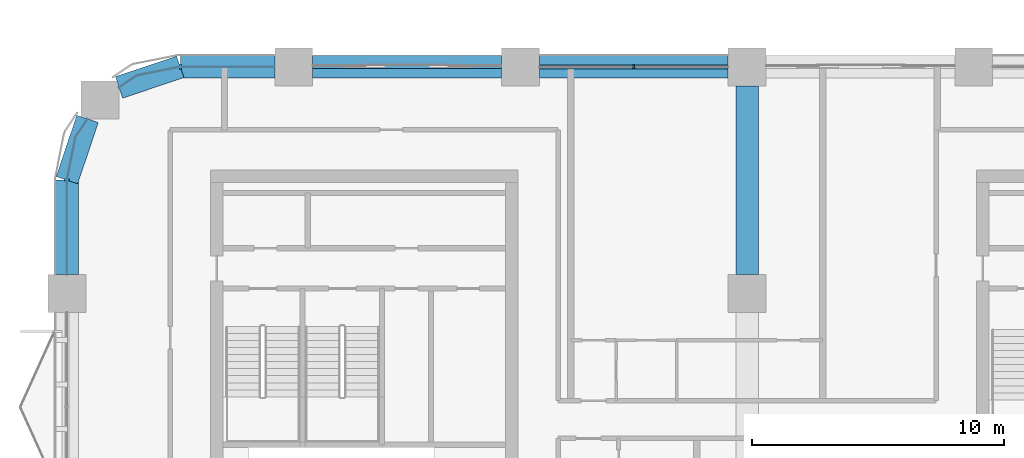
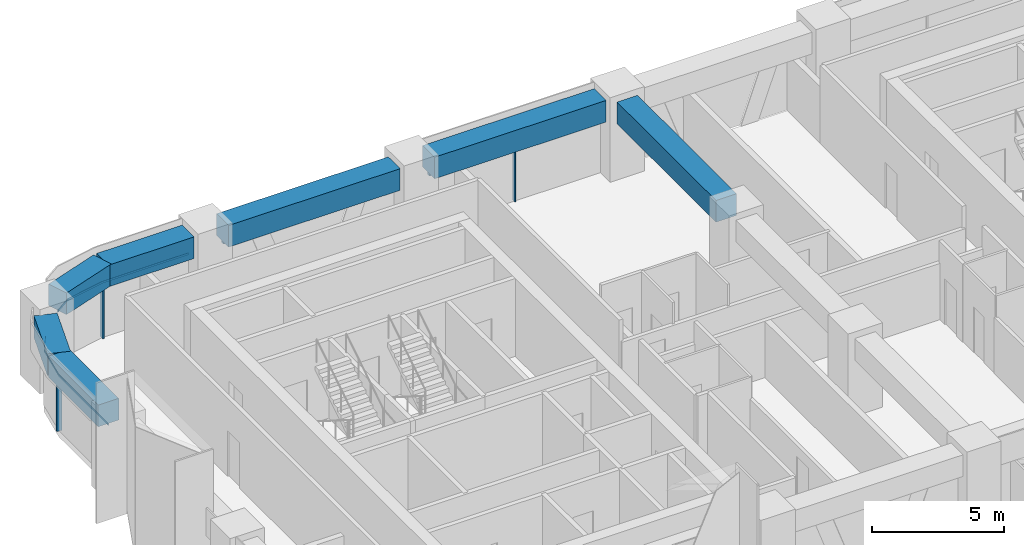
# One storey, part 3 of 14: 7 beams, 7 members, 4 elements without a shape of their own.
"""IFC4 building model written with IfcOpenShell, lengths in metres."""

from ifc_helpers import new_model, si_unit, direction, frame, origin, origin_2d, place, context, subcontext, project, spatial, polyline, rectangle, outline, extrude, material, material_profile, profile_set, type_object, element, aggregate, save


model = new_model("IFC4")

# Units and contexts
model_context = context("Model", 3, precision=1e-05, world=origin(), true_north=direction((0.0, 1.0)))
body_context = subcontext(model_context, "Body", "Model", "MODEL_VIEW")
ifc_project = project(units=[si_unit("LENGTHUNIT", "METRE"), si_unit("AREAUNIT", "SQUARE_METRE"), si_unit("VOLUMEUNIT", "CUBIC_METRE"), si_unit("PLANEANGLEUNIT", "RADIAN"), si_unit("MASSUNIT", "GRAM", prefix="KILO")], contexts=[model_context])

# Site, building, storey
site_placement = place(None, origin())
site = spatial("IfcSite", under=ifc_project, at=site_placement, CompositionType="ELEMENT")
building_placement = place(site_placement, origin())
building = spatial("IfcBuilding", under=site, at=building_placement, Name="Tessera Arch", CompositionType="ELEMENT")
storey_placement = place(building_placement, frame((0.0, 0.0, 142.699951171875)))
storey = spatial("IfcBuildingStorey", under=building, at=storey_placement, Name="L33", CompositionType="ELEMENT", Elevation=142.699951171875)

# Curtain wall, members
ifc_material_1 = material(Name="CW1 curtain wall")
curtain_wall_type_1 = type_object("IfcCurtainWallType", Name="CW1 curtain wall", PredefinedType="NOTDEFINED", material=ifc_material_1)
curtain_wall_1_placement = place(storey_placement, origin())
curtain_wall_1 = element("IfcCurtainWall", 1, at=curtain_wall_1_placement, inside=storey, type_object=curtain_wall_type_1, Name="CW1 curtain wall N54.0/3 L33", PredefinedType="NOTDEFINED")
ifc_material_2 = material(Name="Anodised aluminium pale metal", Category="aluminium")
ifc_material_profile_1 = material_profile(ifc_material_2, rectangle(XDim=0.159912109375, YDim=0.06005859375, at=origin_2d()), Name="AL 60x160")
ifc_profile_set_1 = profile_set([ifc_material_profile_1], Name="Anodised aluminium pale metal")
member_type_1 = type_object("IfcMemberType", Name="CW1 mullion", PredefinedType="MULLION", material=ifc_profile_set_1)
member_1_placement = place(storey_placement, frame((22.5, 54.0, 0.0), z_axis=(0.0, 0.0, 1.0), x_axis=(0.0, -1.0, 0.0)))
member_1 = element("IfcMember", 2, at=member_1_placement, type_object=member_type_1, Name="CW1 mullion N54.0/3 1", PredefinedType="MULLION", context=body_context, shape_type="SweptSolid", body=[
    extrude(rectangle(XDim=0.159912109375, YDim=0.06005859375, at=origin_2d()), origin(), (0.0, 0.0, 1.0), 2.5),
])
ifc_material_3 = material(Name="Anodised aluminium pale metal", Category="aluminium")
ifc_material_profile_2 = material_profile(ifc_material_3, rectangle(XDim=0.159912109375, YDim=0.10009765625, at=origin_2d()), Name="AL 160x100")
ifc_profile_set_2 = profile_set([ifc_material_profile_2], Name="Anodised aluminium pale metal")
member_type_2 = type_object("IfcMemberType", Name="CW1 transom", PredefinedType="USERDEFINED", material=ifc_profile_set_2)
member_2_placement = place(storey_placement, frame((26.25, 54.0, 2.550048828125), z_axis=(-1.0, 0.0, 0.0), x_axis=(0.0, -1.0, 0.0)))
member_2 = element("IfcMember", 3, at=member_2_placement, type_object=member_type_2, Name="CW1 transom N54.0/3 1.1", ObjectType="TRANSOM", PredefinedType="USERDEFINED", context=body_context, shape_type="SweptSolid", body=[
    extrude(rectangle(XDim=0.159912109375, YDim=0.10009765625, at=origin_2d()), origin(), (0.0, 0.0, 1.0), 7.5),
])
aggregate(curtain_wall_1, [member_1, member_2])

# Curtain wall, member
ifc_material_4 = material(Name="CW2 curtain wall")
curtain_wall_type_2 = type_object("IfcCurtainWallType", Name="CW2 curtain wall", PredefinedType="NOTDEFINED", material=ifc_material_4)
curtain_wall_2_placement = place(storey_placement, origin())
curtain_wall_2 = element("IfcCurtainWall", 4, at=curtain_wall_2_placement, inside=storey, type_object=curtain_wall_type_2, Name="CW2 curtain wall N54.0/5 L33", PredefinedType="NOTDEFINED")
ifc_material_5 = material(Name="Anodised aluminium pale metal", Category="aluminium")
ifc_material_profile_3 = material_profile(ifc_material_5, rectangle(XDim=0.199951171875, YDim=0.080078125, at=origin_2d()), Name="AL 80x200")
ifc_profile_set_3 = profile_set([ifc_material_profile_3], Name="Anodised aluminium pale metal")
member_type_3 = type_object("IfcMemberType", Name="CW2 mullion", PredefinedType="MULLION", material=ifc_profile_set_3)
member_3_placement = place(storey_placement, frame((4.5, 54.0, 0.0), z_axis=(0.0, 0.0, 1.0), x_axis=(0.0, -1.0, 0.0)))
member_3 = element("IfcMember", 5, at=member_3_placement, type_object=member_type_3, Name="CW2 mullion N54.0/5 1", PredefinedType="MULLION", context=body_context, shape_type="SweptSolid", body=[
    extrude(rectangle(XDim=0.199951171875, YDim=0.080078125, at=origin_2d()), origin(), (0.0, 0.0, 1.0), 2.5),
])

curtain_wall_3_placement = place(storey_placement, origin())
curtain_wall_3 = element("IfcCurtainWall", 6, at=curtain_wall_3_placement, inside=storey, type_object=curtain_wall_type_2, Name="CW2 curtain wall W0.27/0 L33", PredefinedType="NOTDEFINED")
member_4_placement = place(storey_placement, frame((0.0, 49.5, 0.0), z_axis=(0.0, 0.0, 1.0), x_axis=(1.0, 0.0, 0.0)))
member_4 = element("IfcMember", 7, at=member_4_placement, type_object=member_type_3, Name="CW2 mullion W0.27/0 1", PredefinedType="MULLION", context=body_context, shape_type="SweptSolid", body=[
    extrude(rectangle(XDim=0.199951171875, YDim=0.080078125, at=origin_2d()), origin(), (0.0, 0.0, 1.0), 2.5),
])

# Member
ifc_material_6 = material(Name="Anodised aluminium pale metal", Category="aluminium")
ifc_material_profile_4 = material_profile(ifc_material_6, rectangle(XDim=0.199951171875, YDim=0.10009765625, at=origin_2d()), Name="AL 200x100")
ifc_profile_set_4 = profile_set([ifc_material_profile_4], Name="Anodised aluminium pale metal")
member_type_4 = type_object("IfcMemberType", Name="CW2 transom", PredefinedType="USERDEFINED", material=ifc_profile_set_4)
member_5_placement = place(storey_placement, frame((0.0, 0.0, 2.5)))
member_5 = element("IfcMember", 8, at=member_5_placement, type_object=member_type_4, Name="CW2 transom N54.0/5 1", ObjectType="TRANSOM", PredefinedType="USERDEFINED", context=body_context, shape_type="SweptSolid", body=[
    extrude(outline(polyline([(4.5009765625, 53.989990234375), (8.25, 53.989990234375), (8.25, 54.010009765625), (4.4990234375, 54.010009765625), (2.77392578125, 53.6669921875), (2.0625, 53.19140625), (2.073486328125, 53.1748046875), (2.78173828125, 53.648193359375), (4.5009765625, 53.989990234375)])), origin(), (0.0, 0.0, 1.0), 0.10009765625),
])

aggregate(curtain_wall_2, [member_3, member_5])

member_6_placement = place(storey_placement, frame((0.0, 0.0, 2.5)))
member_6 = element("IfcMember", 9, at=member_6_placement, type_object=member_type_4, Name="CW2 transom W0.27/0 1", ObjectType="TRANSOM", PredefinedType="USERDEFINED", context=body_context, shape_type="SweptSolid", body=[
    extrude(outline(polyline([(0.351806640625, 51.21826171875), (0.8251953125, 51.926513671875), (0.80859375, 51.9375), (0.3330078125, 51.22607421875), (-0.010009765625, 49.5009765625), (-0.010009765625, 45.75), (0.010009765625, 45.75), (0.010009765625, 49.4990234375), (0.351806640625, 51.21826171875)])), origin(), (0.0, 0.0, 1.0), 0.10009765625),
])

aggregate(curtain_wall_3, [member_4, member_6])

# Curtain wall, member
ifc_material_7 = material(Name="CW3 curtain wall")
curtain_wall_type_3 = type_object("IfcCurtainWallType", Name="CW3 curtain wall", PredefinedType="NOTDEFINED", material=ifc_material_7)
curtain_wall_4_placement = place(storey_placement, origin())
curtain_wall_4 = element("IfcCurtainWall", 10, at=curtain_wall_4_placement, inside=storey, type_object=curtain_wall_type_3, Name="CW3 curtain wall N54.0/4 L33", PredefinedType="NOTDEFINED")
ifc_material_8 = material(Name="Anodised aluminium pale metal", Category="aluminium")
ifc_material_profile_5 = material_profile(ifc_material_8, rectangle(XDim=0.139892578125, YDim=0.10009765625, at=origin_2d()), Name="AL 140x100")
ifc_profile_set_5 = profile_set([ifc_material_profile_5], Name="Anodised aluminium pale metal")
member_type_5 = type_object("IfcMemberType", Name="CW3 transom", PredefinedType="USERDEFINED", material=ifc_profile_set_5)
member_7_placement = place(storey_placement, frame((17.25, 54.0, 2.550048828125), z_axis=(-1.0, 0.0, 0.0), x_axis=(0.0, -1.0, 0.0)))
member_7 = element("IfcMember", 11, at=member_7_placement, type_object=member_type_5, Name="CW3 transom N54.0/4 1.1", ObjectType="TRANSOM", PredefinedType="USERDEFINED", context=body_context, shape_type="SweptSolid", body=[
    extrude(rectangle(XDim=0.139892578125, YDim=0.10009765625, at=origin_2d()), origin(), (0.0, 0.0, 1.0), 7.5),
])
aggregate(curtain_wall_4, [member_7])

# Beams
ifc_material_9 = material(Name="Concrete C70/85", Category="concrete")
ifc_material_profile_6 = material_profile(ifc_material_9, rectangle(XDim=0.89990234375, YDim=1.0, at=origin_2d()), Name="RC spandrel beam 900 x 1000 Concrete C70/85")
ifc_profile_set_6 = profile_set([ifc_material_profile_6], Name="Concrete C70/85")
beam_type = type_object("IfcBeamType", Name="RC spandrel beam 900 x 1000 Concrete C70/85", PredefinedType="BEAM", material=ifc_profile_set_6)
for number, where, z_axis, x_axis, name in (
    (12, (26.25, 54.0, 3.10009765625), (-1.0, 0.0, 0.0), (0.0, -1.0, 0.0), "Spandrel beam L33 N54.0/3"),
    (13, (17.25, 54.0, 3.10009765625), (-1.0, 0.0, 0.0), (0.0, -1.0, 0.0), "Spandrel beam L33 N54.0/4"),
):
    element("IfcBeam", number, at=place(storey_placement, frame(where, z_axis=z_axis, x_axis=x_axis)), inside=storey, type_object=beam_type, Name=name, PredefinedType="BEAM", context=body_context, shape_type="SweptSolid", body=[
        extrude(rectangle(XDim=0.89990234375, YDim=1.0, at=origin_2d()), origin(), (0.0, 0.0, 1.0), 7.5),
    ])
beam_1_placement = place(storey_placement, frame((8.25, 54.0, 3.10009765625), z_axis=(-1.0, 0.0, 0.0), x_axis=(0.0, -1.0, 0.0)))
element("IfcBeam", 14, at=beam_1_placement, inside=storey, type_object=beam_type, Name="Spandrel beam L33 N54.0/5.1", PredefinedType="BEAM", context=body_context, shape_type="SweptSolid", body=[
    extrude(rectangle(XDim=0.89990234375, YDim=1.0, at=origin_2d()), origin(), (0.0, 0.0, 1.0), 3.75),
])
for number, where, z_axis, x_axis, name in (
    (15, (4.5, 54.0, 3.10009765625), (-0.947947973234, -0.31842525032, 0.0), (0.31842525032, -0.947947973234, 0.0), "Spandrel beam L33 N54.0/5.2"),
    (16, (0.81689453125, 51.931884765625, 3.10009765625), (-0.31842525032, -0.947947973234, 0.0), (0.947947973234, -0.31842525032, 0.0), "Spandrel beam L33 W0.27/0.1"),
):
    element("IfcBeam", number, at=place(storey_placement, frame(where, z_axis=z_axis, x_axis=x_axis)), inside=storey, type_object=beam_type, Name=name, PredefinedType="BEAM", context=body_context, shape_type="SweptSolid", body=[
        extrude(rectangle(XDim=0.89990234375, YDim=1.0, at=origin_2d()), origin(), (0.0, 0.0, 1.0), 2.5654296875),
    ])
beam_2_placement = place(storey_placement, frame((0.0, 49.5, 3.10009765625), z_axis=(0.0, -1.0, 0.0), x_axis=(1.0, 0.0, 0.0)))
element("IfcBeam", 17, at=beam_2_placement, inside=storey, type_object=beam_type, Name="Spandrel beam L33 W0.27/0.2", PredefinedType="BEAM", context=body_context, shape_type="SweptSolid", body=[
    extrude(rectangle(XDim=0.89990234375, YDim=1.0, at=origin_2d()), origin(), (0.0, 0.0, 1.0), 3.75),
])
beam_3_placement = place(storey_placement, frame((27.0, 45.75, 3.10009765625), z_axis=(0.0, 1.0, 0.0), x_axis=(-1.0, 0.0, 0.0)))
element("IfcBeam", 18, at=beam_3_placement, inside=storey, type_object=beam_type, Name="Interface beam L33 I0C4F-C4G", PredefinedType="BEAM", context=body_context, shape_type="SweptSolid", body=[
    extrude(rectangle(XDim=0.89990234375, YDim=1.0, at=origin_2d()), origin(), (0.0, 0.0, 1.0), 7.5),
])

save(model, "model.ifc")
